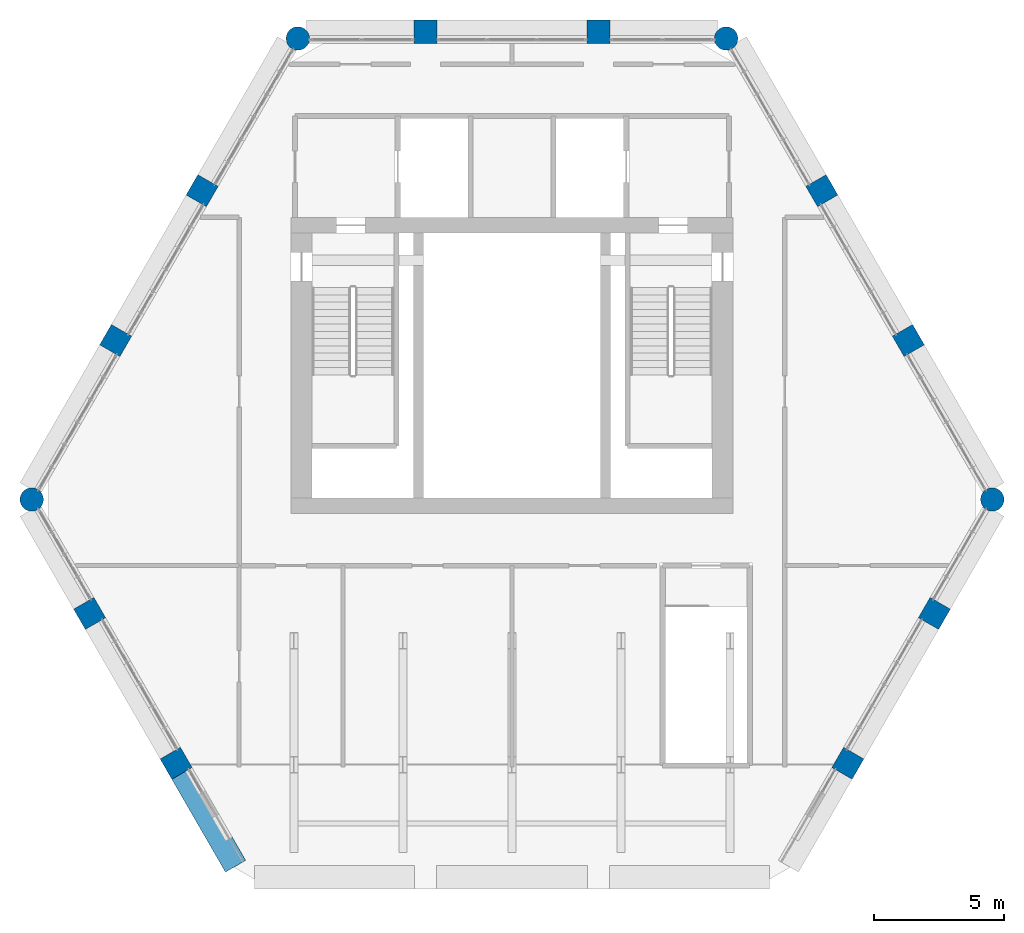
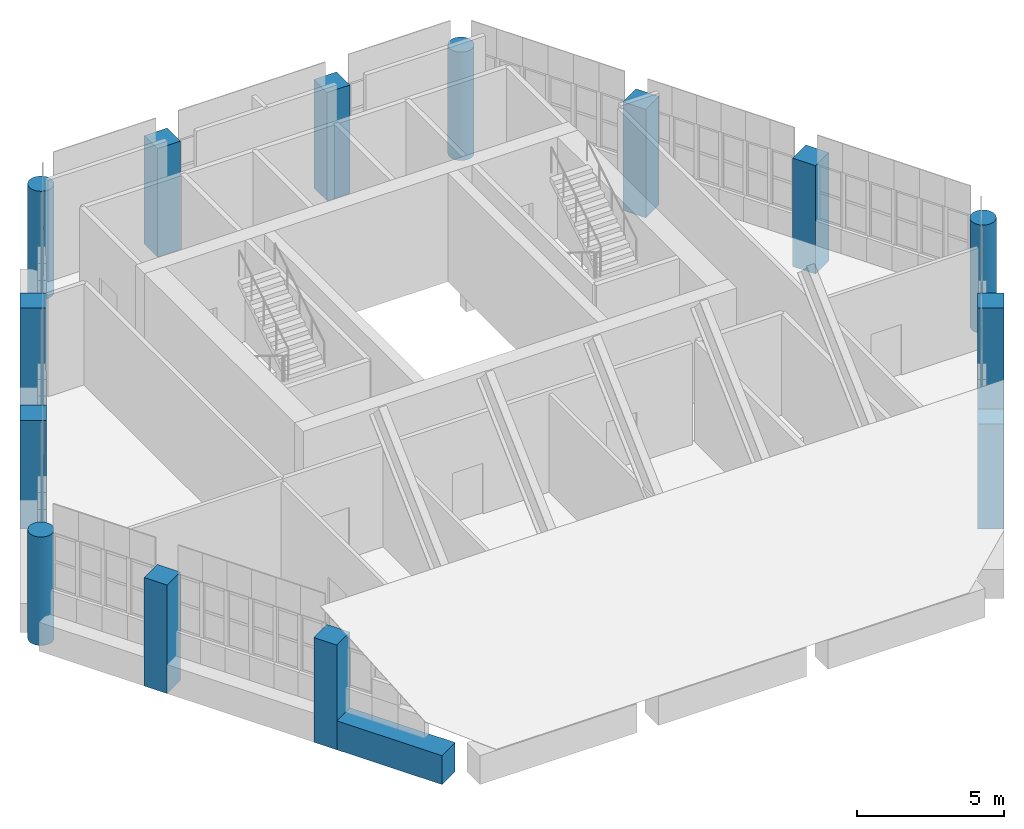
# One storey, part 1 of 25: 14 columns, 1 beam.
"""IFC4 building model written with IfcOpenShell, lengths in metres."""

from ifc_helpers import new_model, si_unit, direction, frame, origin, origin_2d, place, context, subcontext, project, spatial, rectangle, circle, extrude, material, material_profile, profile_set, type_object, element, save


model = new_model("IFC4")

# Units and contexts
model_context = context("Model", 3, precision=1e-05, world=origin(), true_north=direction((0.0, 1.0)))
body_context = subcontext(model_context, "Body", "Model", "MODEL_VIEW")
ifc_project = project(units=[si_unit("LENGTHUNIT", "METRE"), si_unit("AREAUNIT", "SQUARE_METRE"), si_unit("VOLUMEUNIT", "CUBIC_METRE"), si_unit("PLANEANGLEUNIT", "RADIAN"), si_unit("MASSUNIT", "GRAM", prefix="KILO")], contexts=[model_context])

# Site, building, storey
site_placement = place(None, origin())
site = spatial("IfcSite", under=ifc_project, at=site_placement, CompositionType="ELEMENT")
building_placement = place(site_placement, origin())
building = spatial("IfcBuilding", under=site, at=building_placement, Name="Ostrander Bayou Hotel Tower", CompositionType="ELEMENT")
storey_placement = place(building_placement, frame((0.0, 0.0, 275.0)))
storey = spatial("IfcBuildingStorey", under=building, at=storey_placement, Name="L68", CompositionType="ELEMENT", Elevation=275.0)

# Columns
ifc_material_1 = material(Name="Concrete f'c 60 MPa", Category="concrete")
ifc_material_profile_1 = material_profile(ifc_material_1, circle(Radius=0.449951171875, at=origin_2d()))
ifc_profile_set_1 = profile_set([ifc_material_profile_1], Name="Concrete f'c 60 MPa")
column_type_1 = type_object("IfcColumnType", Name="C7 round column 900 mm f'c 60 MPa", PredefinedType="COLUMN", material=ifc_profile_set_1)
for number, where, z_axis, x_axis, name in (
    (1, (-8.2421875, 16.588623046875, -1.199951171875), (0.0, 0.0, 1.0), (1.0, 0.0, 0.0), "C7 L68 K0"),
    (2, (-18.4873046875, -1.156494140625, -1.199951171875), (0.0, 0.0, 1.0), (1.0, 0.0, 0.0), "C7 L68 K1"),
    (3, (18.4873046875, -1.156494140625, -1.199951171875), (0.0, 0.0, 1.0), (1.0, 0.0, 0.0), "C7 L68 K4"),
    (4, (8.2421875, 16.588623046875, -1.199951171875), (0.0, 0.0, 1.0), (1.0, 0.0, 0.0), "C7 L68 K5"),
):
    element("IfcColumn", number, at=place(storey_placement, frame(where, z_axis=z_axis, x_axis=x_axis)), inside=storey, type_object=column_type_1, Name=name, PredefinedType="COLUMN", context=body_context, shape_type="SweptSolid", body=[
        extrude(circle(Radius=0.449951171875, at=origin_2d()), origin(), (0.0, 0.0, 1.0), 4.5),
    ])
ifc_material_2 = material(Name="Concrete f'c 60 MPa", Category="concrete")
ifc_material_profile_2 = material_profile(ifc_material_2, rectangle(XDim=0.89990234375, YDim=0.89990234375, at=origin_2d()))
ifc_profile_set_2 = profile_set([ifc_material_profile_2], Name="Concrete f'c 60 MPa")
column_type_2 = type_object("IfcColumnType", Name="C8 square column 900 x 900 mm f'c 60 MPa", PredefinedType="COLUMN", material=ifc_profile_set_2)
for number, where, z_axis, x_axis, name in (
    (5, (3.329345703125, 16.85009765625, -1.199951171875), (0.0, 0.0, 1.0), (1.0, 0.0, 0.0), "C8 L68 N1"),
    (6, (-3.329345703125, 16.85009765625, -1.199951171875), (0.0, 0.0, 1.0), (1.0, 0.0, 0.0), "C8 L68 N2"),
    (7, (-11.92626953125, 10.72998046875, -1.199951171875), (0.0, 0.0, 1.0), (0.5, 0.866025403784, 0.0), "C8 L68 NW1"),
    (8, (-15.255615234375, 4.96337890625, -1.199951171875), (0.0, 0.0, 1.0), (0.5, 0.866025403784, 0.0), "C8 L68 NW2"),
    (9, (-16.257080078125, -5.541748046875, -1.199951171875), (0.0, 0.0, 1.0), (-0.5, 0.866025403784, 0.0), "C8 L68 SW1"),
):
    element("IfcColumn", number, at=place(storey_placement, frame(where, z_axis=z_axis, x_axis=x_axis)), inside=storey, type_object=column_type_2, Name=name, PredefinedType="COLUMN", context=body_context, shape_type="SweptSolid", body=[
        extrude(rectangle(XDim=0.89990234375, YDim=0.89990234375, at=origin_2d()), origin(), (0.0, 0.0, 1.0), 4.5),
    ])
for number, where, z_axis, x_axis, name in (
    (10, (-12.927734375, -11.308349609375, -1.199951171875), (0.0, 0.0, 1.0), (-0.5, 0.866025403784, 0.0), "C8 L68 SW2"),
    (11, (12.927734375, -11.308349609375, -1.199951171875), (0.0, 0.0, 1.0), (-0.5, -0.866025403784, 0.0), "C8 L68 SE1"),
):
    element("IfcColumn", number, at=place(storey_placement, frame(where, z_axis=z_axis, x_axis=x_axis)), inside=storey, type_object=column_type_2, Name=name, PredefinedType="COLUMN", context=body_context, shape_type="SweptSolid", body=[
        extrude(rectangle(XDim=0.89990234375, YDim=0.89990234375, at=origin_2d()), origin(), (0.0, 0.0, 1.0), 4.340576171875),
    ])
for number, where, z_axis, x_axis, name in (
    (12, (16.257080078125, -5.541748046875, -1.199951171875), (0.0, 0.0, 1.0), (-0.5, -0.866025403784, 0.0), "C8 L68 SE2"),
    (13, (15.255615234375, 4.96337890625, -1.199951171875), (0.0, 0.0, 1.0), (0.5, -0.866025403784, 0.0), "C8 L68 NE1"),
    (14, (11.92626953125, 10.72998046875, -1.199951171875), (0.0, 0.0, 1.0), (0.5, -0.866025403784, 0.0), "C8 L68 NE2"),
):
    element("IfcColumn", number, at=place(storey_placement, frame(where, z_axis=z_axis, x_axis=x_axis)), inside=storey, type_object=column_type_2, Name=name, PredefinedType="COLUMN", context=body_context, shape_type="SweptSolid", body=[
        extrude(rectangle(XDim=0.89990234375, YDim=0.89990234375, at=origin_2d()), origin(), (0.0, 0.0, 1.0), 4.5),
    ])

# Beam
ifc_material_3 = material(Name="Concrete f'c 60 MPa", Category="concrete")
ifc_material_profile_3 = material_profile(ifc_material_3, rectangle(XDim=0.89990234375, YDim=1.199951171875, at=origin_2d()))
ifc_profile_set_3 = profile_set([ifc_material_profile_3], Name="Concrete f'c 60 MPa")
beam_type = type_object("IfcBeamType", Name="SP4 spandrel beam 900 x 1200 mm f'c 60 MPa", PredefinedType="SPANDREL", material=ifc_profile_set_3)
beam_placement = place(storey_placement, frame((-12.7177734375, -11.672119140625, -0.60009765625), z_axis=(0.50000550616, -0.866022224778, 0.0), x_axis=(0.866022224778, 0.50000550616, 0.0)))
element("IfcBeam", 15, at=beam_placement, inside=storey, type_object=beam_type, Name="SP4 L68 SW-3", PredefinedType="SPANDREL", context=body_context, shape_type="SweptSolid", body=[
    extrude(rectangle(XDim=0.89990234375, YDim=1.199951171875, at=origin_2d()), origin(), (0.0, 0.0, 1.0), 4.15625),
])

save(model, "model.ifc")
